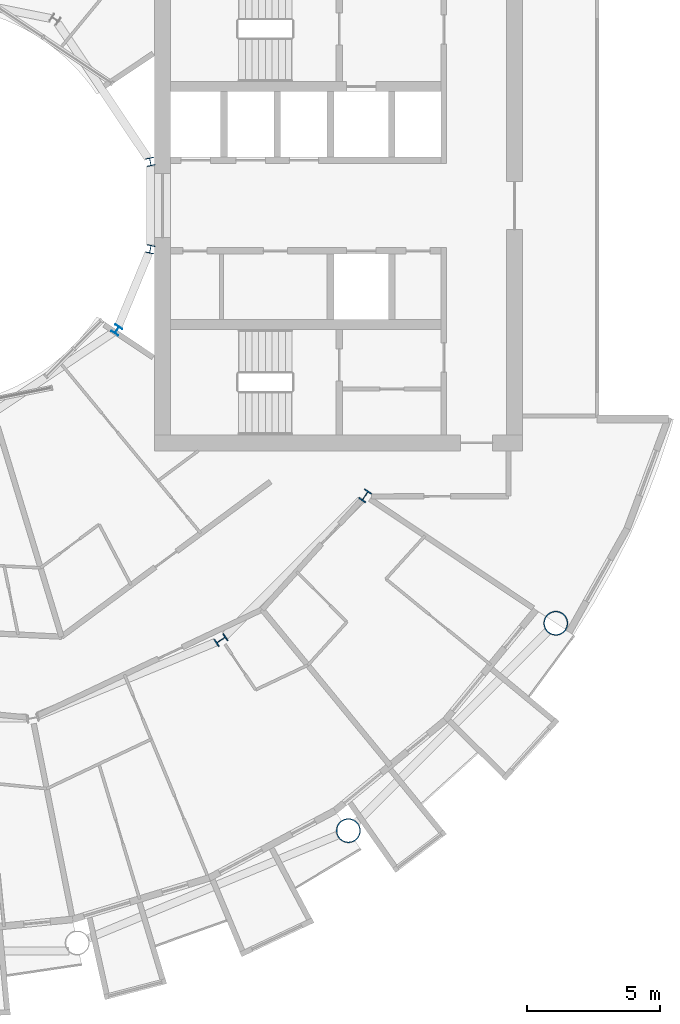
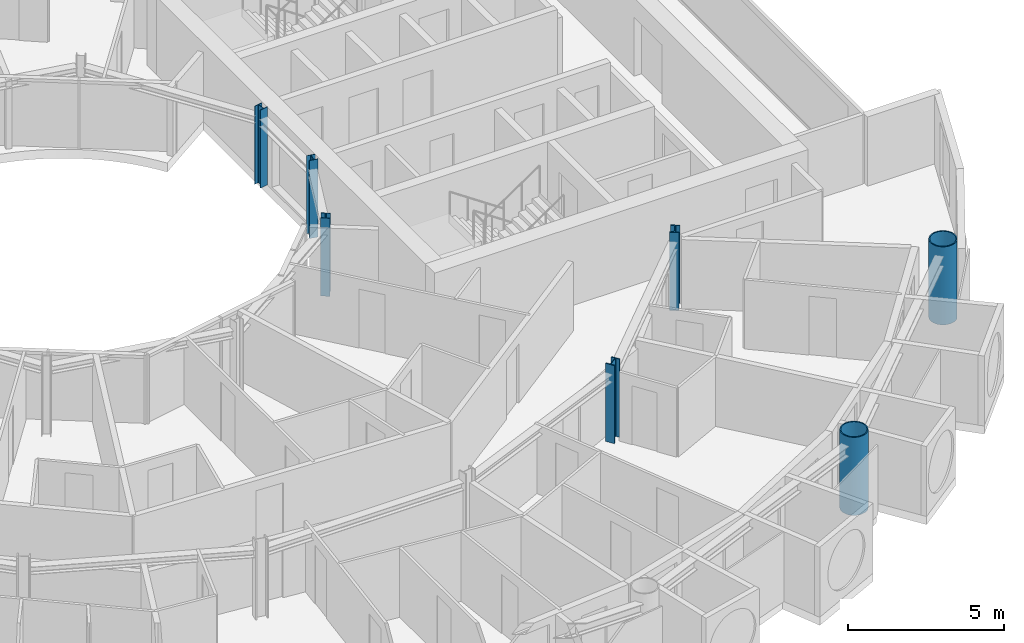
# One storey, part 2 of 27: 7 columns.
"""IFC4 building model written with IfcOpenShell, lengths in metres."""

from ifc_helpers import new_model, si_unit, direction, frame, origin, origin_2d, place, context, subcontext, project, spatial, hollow_circle, i_section, extrude, material, material_profile, profile_set, type_object, element, save


model = new_model("IFC4")

# Units and contexts
model_context = context("Model", 3, precision=1e-05, world=origin(), true_north=direction((0.0, 1.0)))
body_context = subcontext(model_context, "Body", "Model", "MODEL_VIEW")
ifc_project = project(units=[si_unit("LENGTHUNIT", "METRE"), si_unit("AREAUNIT", "SQUARE_METRE"), si_unit("VOLUMEUNIT", "CUBIC_METRE"), si_unit("PLANEANGLEUNIT", "RADIAN"), si_unit("MASSUNIT", "GRAM", prefix="KILO")], contexts=[model_context])

# Site, building, storey
site_placement = place(None, origin())
site = spatial("IfcSite", under=ifc_project, at=site_placement, CompositionType="ELEMENT")
building_placement = place(site_placement, origin())
building = spatial("IfcBuilding", under=site, at=building_placement, Name="Maasbend Ring Residences", CompositionType="ELEMENT")
storey_placement = place(building_placement, frame((0.0, 0.0, 111.64990234375)))
storey = spatial("IfcBuildingStorey", under=building, at=storey_placement, Name="L31", CompositionType="ELEMENT", Elevation=111.64990234375)

# Columns
ifc_material_1 = material(Name="Composite concrete-filled steel tube S460NH / C80/95", Category="concrete")
ifc_material_profile_1 = material_profile(ifc_material_1, hollow_circle(Radius=0.45703125, WallThickness=0.0400390625, at=origin_2d()), Name="Composite tube column CHS 914x40")
ifc_profile_set_1 = profile_set([ifc_material_profile_1], Name="Composite concrete-filled steel tube S460NH / C80/95")
column_type_1 = type_object("IfcColumnType", Name="Composite tube column CHS 914x40", PredefinedType="COLUMN", material=ifc_profile_set_1)
for number, where, z_axis, x_axis, name in (
    (1, (15.6669921875, -23.447509765625, 0.0), (0.0, 0.0, 1.0), (1.0, 0.0, 0.0), "Outer column R14"),
    (2, (23.447509765625, -15.6669921875, 0.0), (0.0, 0.0, 1.0), (1.0, 0.0, 0.0), "Outer column R15"),
):
    element("IfcColumn", number, at=place(storey_placement, frame(where, z_axis=z_axis, x_axis=x_axis)), inside=storey, type_object=column_type_1, Name=name, PredefinedType="COLUMN", context=body_context, shape_type="SweptSolid", body=[
        extrude(hollow_circle(Radius=0.45703125, WallThickness=0.0400390625, at=origin_2d()), origin(), (0.0, 0.0, 1.0), 3.050048828125),
    ])
ifc_material_2 = material(Name="Steel S355J2", Category="steel")
ifc_material_profile_2 = material_profile(ifc_material_2, i_section(OverallWidth=0.300048828125, OverallDepth=0.300048828125, WebThickness=0.010986328125, FlangeThickness=0.01904296875, FilletRadius=0.027099609375, at=origin_2d()), Name="HEB 300")
ifc_profile_set_2 = profile_set([ifc_material_profile_2], Name="Steel S355J2")
column_type_2 = type_object("IfcColumnType", Name="Steel column HEB 300", PredefinedType="COLUMN", material=ifc_profile_set_2)
for number, where, z_axis, x_axis, name in (
    (3, (8.238525390625, 1.638916015625, 0.0), (0.0, 0.0, 1.0), (0.980785280403, 0.195090322016, 0.0), "Well ring column R1"),
    (4, (6.984375, -4.666748046875, 0.0), (0.0, 0.0, 1.0), (0.831469612303, -0.55557023302, 0.0), "Well ring column R15"),
    (5, (8.238525390625, -1.638916015625, 0.0), (0.0, 0.0, 1.0), (0.980785280403, -0.195090322016, 0.0), "Well ring column R16"),
):
    element("IfcColumn", number, at=place(storey_placement, frame(where, z_axis=z_axis, x_axis=x_axis)), inside=storey, type_object=column_type_2, Name=name, PredefinedType="COLUMN", context=body_context, shape_type="SweptSolid", body=[
        extrude(i_section(OverallWidth=0.300048828125, OverallDepth=0.300048828125, WebThickness=0.010986328125, FlangeThickness=0.01904296875, FilletRadius=0.027099609375, at=origin_2d()), origin(), (0.0, 0.0, 1.0), 3.050048828125),
    ])
ifc_material_3 = material(Name="Steel S460M", Category="steel")
ifc_material_profile_3 = material_profile(ifc_material_3, i_section(OverallWidth=0.306884765625, OverallDepth=0.431884765625, WebThickness=0.02099609375, FlangeThickness=0.0400390625, FilletRadius=0.027099609375, at=origin_2d()), Name="HEM 400")
ifc_profile_set_3 = profile_set([ifc_material_profile_3], Name="Steel S460M")
column_type_3 = type_object("IfcColumnType", Name="Steel column HEM 400", PredefinedType="COLUMN", material=ifc_profile_set_3)
for number, where, z_axis, x_axis, name in (
    (6, (10.88916015625, -16.296875, 0.0), (0.0, 0.0, 1.0), (0.55557023302, -0.831469612303, 0.0), "Corridor ring column R14"),
    (7, (16.296875, -10.88916015625, 0.0), (0.0, 0.0, 1.0), (0.831469612303, -0.55557023302, 0.0), "Corridor ring column R15"),
):
    element("IfcColumn", number, at=place(storey_placement, frame(where, z_axis=z_axis, x_axis=x_axis)), inside=storey, type_object=column_type_3, Name=name, PredefinedType="COLUMN", context=body_context, shape_type="SweptSolid", body=[
        extrude(i_section(OverallWidth=0.306884765625, OverallDepth=0.431884765625, WebThickness=0.02099609375, FlangeThickness=0.0400390625, FilletRadius=0.027099609375, at=origin_2d()), origin(), (0.0, 0.0, 1.0), 3.050048828125),
    ])

save(model, "model.ifc")
